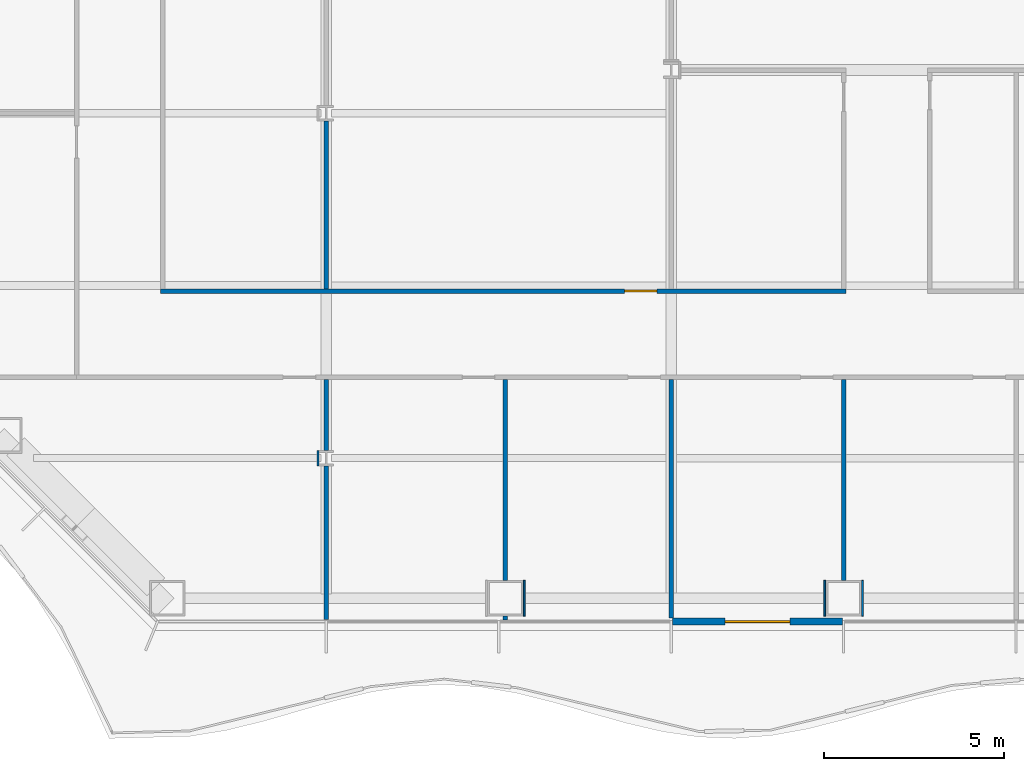
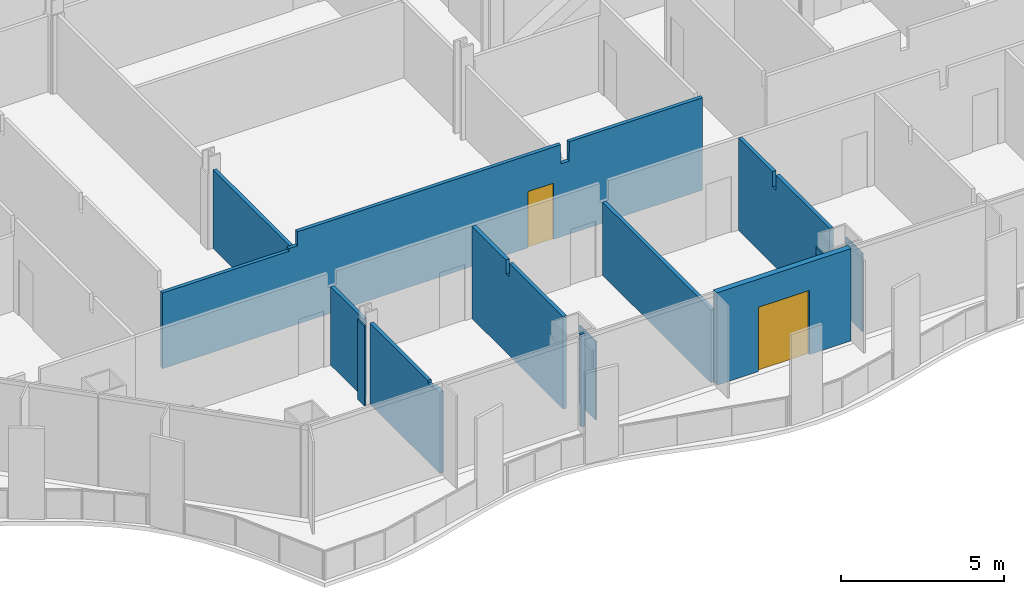
# One storey, part 6 of 20: 13 walls, 2 doors, 2 openings.
"""IFC4 building model written with IfcOpenShell, lengths in metres."""

import ifcopenshell
import ifcopenshell.guid

model = None  # the IFC model being written
_history = None  # IfcOwnerHistory: only IFC2X3 demands one
_inside = {}  # id of a spatial element -> (the spatial element, [elements in it])
_under = {}  # id of a project, library or spatial element -> (it, [spatial elements below it])
_declared = {}  # id of a project -> (the project, [libraries it declares])
_typed = {}  # id of a type object -> (the type object, [elements of that type])
_made_of = {}  # id of a material, layer set ... -> (it, [elements and type objects made of it])


def new_model(schema):
    """Start an empty IFC model of exactly this schema.

    Asked for "IFC4X3", IfcOpenShell would pick the latest addendum, in which some entities
    have other attributes; the version numbers below select the first issue.
    IFC2X3 requires an IfcOwnerHistory on every rooted entity: one is made here for all.
    """
    global model, _history
    if schema == "IFC4X3":
        model = ifcopenshell.file(schema_version=(4, 3, 0, 0))
    else:
        model = ifcopenshell.file(schema=schema)
    _inside.clear()
    _under.clear()
    _declared.clear()
    _typed.clear()
    _made_of.clear()
    _history = None
    if model.schema == "IFC2X3":
        org = make("IfcOrganization", Name="unknown")
        user = make(
            "IfcPersonAndOrganization",
            ThePerson=make("IfcPerson", FamilyName="unknown"),
            TheOrganization=org,
        )
        app = make(
            "IfcApplication",
            ApplicationDeveloper=org,
            Version="unknown",
            ApplicationFullName="unknown",
            ApplicationIdentifier="unknown",
        )
        _history = make(
            "IfcOwnerHistory",
            OwningUser=user,
            OwningApplication=app,
            ChangeAction="ADDED",
            CreationDate=0,
        )
    return model


def make(cls, **values):
    """One entity of the class cls with the attributes given. An attribute that is None is left unset."""
    return model.create_entity(
        cls, **{name: value for name, value in values.items() if value is not None}
    )


def rooted(cls, **values):
    """An entity with a GlobalId (a new one), such as an element, a storey or a relation."""
    return make(cls, GlobalId=ifcopenshell.guid.new(), OwnerHistory=_history, **values)


def si_unit(unit_type, name, prefix=None):
    """IfcSIUnit, for example si_unit("LENGTHUNIT", "METRE", prefix="MILLI")."""
    return make("IfcSIUnit", UnitType=unit_type, Prefix=prefix, Name=name)


def assignment(units):
    """IfcUnitAssignment: the units of a project."""
    return None if units is None else make("IfcUnitAssignment", Units=units)


def point(xyz):
    """IfcCartesianPoint."""
    return None if xyz is None else make("IfcCartesianPoint", Coordinates=xyz)


def direction(xyz):
    """IfcDirection."""
    return None if xyz is None else make("IfcDirection", DirectionRatios=xyz)


def frame(location, z_axis=None, x_axis=None):
    """IfcAxis2Placement3D, a coordinate frame: its origin and axes. An axis left out is left unset."""
    return make(
        "IfcAxis2Placement3D",
        Location=point(location),
        Axis=direction(z_axis),
        RefDirection=direction(x_axis),
    )


def frame_2d(location, x_axis=None):
    """IfcAxis2Placement2D, a coordinate frame in the plane: its origin and x axis."""
    return make(
        "IfcAxis2Placement2D", Location=point(location), RefDirection=direction(x_axis)
    )


def origin():
    """The frame at (0, 0, 0) with its axes left unset."""
    return frame((0.0, 0.0, 0.0))


def place(relative_to, where):
    """IfcLocalPlacement: puts the frame where relative to a parent placement (None: the world)."""
    return make(
        "IfcLocalPlacement", PlacementRelTo=relative_to, RelativePlacement=where
    )


def context(
    kind, dimensions, precision=None, world=None, true_north=None, identifier=None
):
    """IfcGeometricRepresentationContext, for example the 3D "Model" context."""
    return make(
        "IfcGeometricRepresentationContext",
        ContextIdentifier=identifier,
        ContextType=kind,
        CoordinateSpaceDimension=dimensions,
        Precision=precision,
        WorldCoordinateSystem=world,
        TrueNorth=true_north,
    )


def subcontext(parent, identifier, kind, view, scale=None):
    """IfcGeometricRepresentationSubContext, for example "Body" below "Model"."""
    return make(
        "IfcGeometricRepresentationSubContext",
        ContextIdentifier=identifier,
        ContextType=kind,
        ParentContext=parent,
        TargetScale=scale,
        TargetView=view,
    )


def project(units=None, contexts=None):
    """IfcProject with its units and contexts."""
    return rooted(
        "IfcProject",
        Name="project",
        RepresentationContexts=contexts,
        UnitsInContext=assignment(units),
    )


def spatial(cls, under=None, at=None, **own):
    """A site, building, storey or space (cls), placed at a placement, below another one or the project."""
    s = rooted(cls, ObjectPlacement=at, **own)
    if under is not None:
        _under.setdefault(under.id(), (under, []))[1].append(s)
    return s


def polyline(points):
    """IfcPolyline through the points."""
    return make("IfcPolyline", Points=[point(p) for p in points])


def profile(cls, at=None, kind="AREA", **sizes):
    """A parametric profile (cls). Its sizes go by their IFC names, for example OverallWidth=200.0."""
    return make(cls, ProfileType=kind, Position=at, **sizes)


def rectangle(**sizes):
    """IfcRectangleProfileDef."""
    return profile("IfcRectangleProfileDef", **sizes)


def outline(outer, holes=None, kind="AREA"):
    """IfcArbitraryClosedProfileDef: a profile drawn as a closed curve; with holes, ...WithVoids."""
    if holes is None:
        return make("IfcArbitraryClosedProfileDef", ProfileType=kind, OuterCurve=outer)
    return make(
        "IfcArbitraryProfileDefWithVoids",
        ProfileType=kind,
        OuterCurve=outer,
        InnerCurves=holes,
    )


def extrude(swept, where, along, depth):
    """IfcExtrudedAreaSolid: the profile swept, set in the frame where, extruded along a direction by depth."""
    return make(
        "IfcExtrudedAreaSolid",
        SweptArea=swept,
        Position=where,
        ExtrudedDirection=direction(along),
        Depth=depth,
    )


def shape(context_of_items, identifier, shape_type, items):
    """IfcShapeRepresentation: the items that make up one representation, for example the "Body"."""
    return make(
        "IfcShapeRepresentation",
        ContextOfItems=context_of_items,
        RepresentationIdentifier=identifier,
        RepresentationType=shape_type,
        Items=items,
    )


def material(Name=None, Category=None):
    """IfcMaterial."""
    return make("IfcMaterial", Name=Name, Category=Category)


def layer(
    of_material, thickness, ventilated=None, Name=None, Category=None, Priority=None
):
    """IfcMaterialLayer: one layer of a wall or slab, of a material (None: an air gap)."""
    return make(
        "IfcMaterialLayer",
        Material=of_material,
        LayerThickness=thickness,
        IsVentilated=ventilated,
        Name=Name,
        Category=Category,
        Priority=Priority,
    )


def layer_set(layers, Name=None):
    """IfcMaterialLayerSet."""
    return make("IfcMaterialLayerSet", MaterialLayers=layers, LayerSetName=Name)


def made_of(thing, what):
    """Note that an element or type object is made of a material, layer set ...; save() writes the relation."""
    if what is not None:
        _made_of.setdefault(what.id(), (what, []))[1].append(thing)
    return thing


def type_object(cls, material=None, **own):
    """A type object (cls), such as IfcWallType, which elements share."""
    return made_of(rooted(cls, **own), material)


def element(
    cls,
    number,
    at=None,
    inside=None,
    cuts=None,
    type_object=None,
    material=None,
    context=None,
    identifier="Body",
    shape_type=None,
    held_by="IfcProductDefinitionShape",
    body=None,
    shapes=None,
    **own,
):
    """One element of the class cls, such as IfcWall. Its Tag is "e" and its number.

    at: its placement. inside: the storey or other place that contains it. cuts: it is an
    opening in that element (IfcRelVoidsElement). A single representation is given by context,
    identifier, shape_type and body (its items); several are given by shapes. held_by: the class
    of the entity that holds the representations. save() writes the other relations.
    """
    e = rooted(cls, Tag="e%d" % number, ObjectPlacement=at, **own)
    if body is not None:
        shapes = [shape(context, identifier, shape_type, body)]
    if shapes is not None:
        e.Representation = make(held_by, Representations=shapes)
    if inside is not None:
        _inside.setdefault(inside.id(), (inside, []))[1].append(e)
    if cuts is not None:
        rooted(
            "IfcRelVoidsElement", RelatingBuildingElement=cuts, RelatedOpeningElement=e
        )
    if type_object is not None:
        _typed.setdefault(type_object.id(), (type_object, []))[1].append(e)
    return made_of(e, material)


def fill(opening, filler):
    """IfcRelFillsElement: the door or window that sits in an opening."""
    return rooted(
        "IfcRelFillsElement",
        RelatingOpeningElement=opening,
        RelatedBuildingElement=filler,
    )


def aggregate(whole, parts):
    """IfcRelAggregates: a whole, such as a stair, and the parts it consists of."""
    return rooted("IfcRelAggregates", RelatingObject=whole, RelatedObjects=parts)


def save(model, path):
    """Write the relations noted so far, then the file.

    IfcRelAggregates (storeys below a building ...), IfcRelContainedInSpatialStructure (elements
    in a storey), IfcRelDefinesByType, IfcRelAssociatesMaterial and IfcRelDeclares: one each for
    every whole, place, type object, material and project.
    """
    for whole, parts in _under.values():
        aggregate(whole, parts)
    for where, things in _inside.values():
        rooted(
            "IfcRelContainedInSpatialStructure",
            RelatedElements=things,
            RelatingStructure=where,
        )
    for kind, things in _typed.values():
        rooted("IfcRelDefinesByType", RelatedObjects=things, RelatingType=kind)
    for what, things in _made_of.values():
        rooted("IfcRelAssociatesMaterial", RelatedObjects=things, RelatingMaterial=what)
    for by, libraries in _declared.values():
        rooted("IfcRelDeclares", RelatingContext=by, RelatedDefinitions=libraries)
    model.write(path)


model = new_model("IFC4")

# Units and contexts
model_context = context("Model", 3, precision=1e-05, world=origin(), true_north=direction((0.0, 1.0)))
body_context = subcontext(model_context, "Body", "Model", "MODEL_VIEW")
ifc_project = project(units=[si_unit("LENGTHUNIT", "METRE"), si_unit("AREAUNIT", "SQUARE_METRE"), si_unit("VOLUMEUNIT", "CUBIC_METRE"), si_unit("PLANEANGLEUNIT", "RADIAN"), si_unit("MASSUNIT", "GRAM", prefix="KILO")], contexts=[model_context])

# Site, building, storey
site_placement = place(None, origin())
site = spatial("IfcSite", under=ifc_project, at=site_placement, CompositionType="ELEMENT")
building_placement = place(site_placement, origin())
building = spatial("IfcBuilding", under=site, at=building_placement, Name="Cairn Pilgrim Tower", CompositionType="ELEMENT")
storey_placement = place(building_placement, frame((0.0, 0.0, 51.0)))
storey = spatial("IfcBuildingStorey", under=building, at=storey_placement, Name="L10", CompositionType="ELEMENT", Elevation=51.0)

# Wall, opening, door
ifc_material_1 = material(Name="Bronze anodised aluminium insulated sandwich panel with mineral wool fill", Category="aluminium")
ifc_layer_1 = layer(ifc_material_1, 0.199951171875)
ifc_layer_set_1 = layer_set([ifc_layer_1], Name="BRONZE INFILL FRAME WALL 200")
wall_type_1 = type_object("IfcWallType", Name="BRONZE INFILL FRAME WALL 200", PredefinedType="NOTDEFINED", material=ifc_layer_set_1)
wall_1_placement = place(storey_placement, frame((-4.77001953125, -23.75, 0.0), z_axis=(0.0, 0.0, 1.0), x_axis=(1.0, 0.0, 0.0)))
wall_1 = element("IfcWall", 1, at=wall_1_placement, inside=storey, type_object=wall_type_1, Name="Bronze infill frame wall IW-S4", PredefinedType="NOTDEFINED", context=body_context, shape_type="SweptSolid", body=[
    extrude(rectangle(XDim=4.739990234375, YDim=0.199951171875, at=frame_2d((2.3701171875, 0.0))), origin(), (0.0, 0.0, 1.0), 3.449951171875),
])
opening_1_placement = place(wall_1_placement, frame((1.469970703125, 0.0, 0.0)))
opening_1 = element("IfcOpeningElement", 2, at=opening_1_placement, cuts=wall_1, Name="Opening 1004B", PredefinedType="OPENING", context=body_context, shape_type="SweptSolid", body=[
    extrude(rectangle(XDim=1.800048828125, YDim=2.39990234375, at=frame_2d((0.89990234375, 1.199951171875))), frame((0.0, 0.10986328125, 0.0), z_axis=(0.0, -1.0, 0.0), x_axis=(1.0, 0.0, 0.0)), (0.0, 0.0, 1.0), 0.219970703125),
])
ifc_material_2 = material(Name="Bronze anodised aluminium frame with tinted low-E glass", Category="aluminium")
door_type_1 = type_object("IfcDoorType", Name="BALCONY SLIDING DOOR 1800x2400", OperationType="DOUBLE_DOOR_SLIDING", PredefinedType="DOOR", material=ifc_material_2)
door_1_placement = place(opening_1_placement, origin())
door_1 = element("IfcDoor", 3, at=door_1_placement, inside=storey, type_object=door_type_1, Name="Balcony sliding door 1004B", OperationType="SINGLE_SWING_LEFT", OverallHeight=2.39990234375, OverallWidth=1.800048828125, PredefinedType="DOOR", context=body_context, shape_type="SweptSolid", body=[
    extrude(rectangle(XDim=1.800048828125, YDim=2.39990234375, at=frame_2d((0.89990234375, 1.199951171875))), frame((0.0, 0.02490234375, 0.0), z_axis=(0.0, -1.0, 0.0), x_axis=(1.0, 0.0, 0.0)), (0.0, 0.0, 1.0), 0.050048828125),
])
fill(opening_1, door_1)

# Walls
ifc_material_3 = material(Name="Gypsum partition")
ifc_layer_2 = layer(ifc_material_3, 0.125)
ifc_layer_set_2 = layer_set([ifc_layer_2], Name="PARTITION 125 DRYWALL EI 60")
wall_type_2 = type_object("IfcWallType", Name="PARTITION 125 DRYWALL EI 60", PredefinedType="PARTITIONING", material=ifc_layer_set_2)
wall_2_placement = place(storey_placement, frame((-14.39990234375, -23.68994140625, 0.0), z_axis=(0.0, 0.0, 1.0), x_axis=(0.0, 1.0, 0.0)))
element("IfcWall", 4, at=wall_2_placement, inside=storey, type_object=wall_type_2, Name="PARTITION W001", PredefinedType="PARTITIONING", context=body_context, shape_type="SweptSolid", body=[
    extrude(outline(polyline([(0.0, 0.0), (4.27734375, 0.0), (4.277587890625, 3.030029296875), (0.739990234375, 3.030029296875), (0.738037109375, 2.929931640625), (0.43994140625, 2.929931640625), (0.43798828125, 3.030029296875), (0.0, 3.030029296875), (0.0, 0.0)])), frame((0.0, 0.0625, 0.0), z_axis=(0.0, -1.0, 0.0), x_axis=(1.0, 0.0, 0.0)), (0.0, 0.0, 1.0), 0.125),
])
wall_3_placement = place(storey_placement, frame((-9.4140625, -23.702880859375, 0.0), z_axis=(0.0, 0.0, 1.0), x_axis=(0.0, 1.0, 0.0)))
element("IfcWall", 5, at=wall_3_placement, inside=storey, type_object=wall_type_2, Name="PARTITION W002", PredefinedType="PARTITIONING", context=body_context, shape_type="SweptSolid", body=[
    extrude(rectangle(XDim=0.102783203125, YDim=0.125, at=frame_2d((0.05126953125, 0.0))), origin(), (0.0, 0.0, 1.0), 3.449951171875),
])
wall_4_placement = place(storey_placement, frame((-4.800048828125, -23.64990234375, 0.0), z_axis=(0.0, 0.0, 1.0), x_axis=(0.0, 1.0, 0.0)))
element("IfcWall", 6, at=wall_4_placement, inside=storey, type_object=wall_type_2, Name="PARTITION W003", PredefinedType="PARTITIONING", context=body_context, shape_type="SweptSolid", body=[
    extrude(rectangle(XDim=6.637451171875, YDim=0.125, at=frame_2d((3.31884765625, 0.0))), origin(), (0.0, 0.0, 1.0), 2.72998046875),
])
wall_5_placement = place(storey_placement, frame((-9.4140625, -22.60009765625, 0.0), z_axis=(0.0, 0.0, 1.0), x_axis=(0.0, 1.0, 0.0)))
element("IfcWall", 7, at=wall_5_placement, inside=storey, type_object=wall_type_2, Name="PARTITION W007", PredefinedType="PARTITIONING", context=body_context, shape_type="SweptSolid", body=[
    extrude(outline(polyline([(0.0, 0.0), (5.587646484375, 0.0), (5.58740234375, 3.449951171875), (3.5, 3.449951171875), (3.498046875, 2.929931640625), (3.300048828125, 2.929931640625), (3.298095703125, 3.449951171875), (0.0, 3.449951171875), (0.0, 0.0)])), frame((0.0, 0.0625, 0.0), z_axis=(0.0, -1.0, 0.0), x_axis=(1.0, 0.0, 0.0)), (0.0, 0.0, 1.0), 0.125),
])
wall_6_placement = place(storey_placement, frame((0.0, -22.60009765625, 0.0), z_axis=(0.0, 0.0, 1.0), x_axis=(0.0, 1.0, 0.0)))
element("IfcWall", 8, at=wall_6_placement, inside=storey, type_object=wall_type_2, Name="PARTITION W008", PredefinedType="PARTITIONING", context=body_context, shape_type="SweptSolid", body=[
    extrude(outline(polyline([(0.0, 0.0), (5.587646484375, 0.0), (5.58740234375, 3.449951171875), (3.5048828125, 3.449951171875), (3.5029296875, 2.8798828125), (3.294921875, 2.8798828125), (3.29296875, 3.449951171875), (0.0, 3.449951171875), (0.0, 0.0)])), frame((0.0, 0.0625, 0.0), z_axis=(0.0, -1.0, 0.0), x_axis=(1.0, 0.0, 0.0)), (0.0, 0.0, 1.0), 0.125),
])
wall_7_placement = place(storey_placement, frame((-14.39990234375, -18.987548828125, 0.0), z_axis=(0.0, 0.0, 1.0), x_axis=(0.0, 1.0, 0.0)))
element("IfcWall", 9, at=wall_7_placement, inside=storey, type_object=wall_type_2, Name="PARTITION W011", PredefinedType="PARTITIONING", context=body_context, shape_type="SweptSolid", body=[
    extrude(rectangle(XDim=1.97509765625, YDim=0.125, at=frame_2d((0.987548828125, 0.0))), origin(), (0.0, 0.0, 1.0), 2.929931640625),
])

# Wall, opening, door
wall_8_placement = place(storey_placement, frame((-19.012451171875, -14.550048828125, 0.0), z_axis=(0.0, 0.0, 1.0), x_axis=(1.0, 0.0, 0.0)))
wall_8 = element("IfcWall", 10, at=wall_8_placement, inside=storey, type_object=wall_type_2, Name="PARTITION W016", PredefinedType="PARTITIONING", context=body_context, shape_type="SweptSolid", body=[
    extrude(outline(polyline([(0.0, 0.0), (19.074951171875, 0.0), (19.074951171875, 3.449951171875), (14.362548828125, 3.449951171875), (14.360595703125, 2.72998046875), (14.0625, 2.72998046875), (14.060546875, 3.449951171875), (4.762451171875, 3.449951171875), (4.760498046875, 2.929931640625), (4.46240234375, 2.929931640625), (4.46044921875, 2.830078125), (0.0, 2.830078125), (0.0, 0.0)])), frame((0.0, 0.0625, 0.0), z_axis=(0.0, -1.0, 0.0), x_axis=(1.0, 0.0, 0.0)), (0.0, 0.0, 1.0), 0.125),
])
opening_2_placement = place(wall_8_placement, frame((12.91259765625, 0.0, 0.0)))
opening_2 = element("IfcOpeningElement", 11, at=opening_2_placement, cuts=wall_8, Name="Opening 1028", PredefinedType="OPENING", context=body_context, shape_type="SweptSolid", body=[
    extrude(rectangle(XDim=0.89990234375, YDim=2.10009765625, at=frame_2d((0.449951171875, 1.050048828125))), frame((0.0, 0.072509765625, 0.0), z_axis=(0.0, -1.0, 0.0), x_axis=(1.0, 0.0, 0.0)), (0.0, 0.0, 1.0), 0.14501953125),
])
ifc_material_4 = material(Name="Steel-faced fire door leaf", Category="steel")
door_type_2 = type_object("IfcDoorType", Name="FIRE DOOR 900x2100 FD30S", OperationType="NOTDEFINED", PredefinedType="DOOR", material=ifc_material_4)
door_2_placement = place(opening_2_placement, origin())
door_2 = element("IfcDoor", 12, at=door_2_placement, inside=storey, type_object=door_type_2, Name="DOOR 1028", OperationType="SINGLE_SWING_LEFT", OverallHeight=2.10009765625, OverallWidth=0.89990234375, PredefinedType="DOOR", context=body_context, shape_type="SweptSolid", body=[
    extrude(rectangle(XDim=0.89990234375, YDim=2.10009765625, at=frame_2d((0.449951171875, 1.050048828125))), frame((0.0, 0.02490234375, 0.0), z_axis=(0.0, -1.0, 0.0), x_axis=(1.0, 0.0, 0.0)), (0.0, 0.0, 1.0), 0.050048828125),
])
fill(opening_2, door_2)

# Walls
wall_9_placement = place(storey_placement, frame((-14.39990234375, -14.487548828125, 0.0), z_axis=(0.0, 0.0, 1.0), x_axis=(0.0, 1.0, 0.0)))
element("IfcWall", 13, at=wall_9_placement, inside=storey, type_object=wall_type_2, Name="PARTITION W019", PredefinedType="PARTITIONING", context=body_context, shape_type="SweptSolid", body=[
    extrude(rectangle(XDim=4.675048828125, YDim=0.125, at=frame_2d((2.33740234375, 0.0))), origin(), (0.0, 0.0, 1.0), 2.929931640625),
])
ifc_layer_3 = layer(ifc_material_3, 0.050048828125)
ifc_layer_set_3 = layer_set([ifc_layer_3], Name="PARTITION 50 DRYWALL EI 60")
wall_type_3 = type_object("IfcWallType", Name="PARTITION 50 DRYWALL EI 60", PredefinedType="PARTITIONING", material=ifc_layer_set_3)
wall_10_placement = place(storey_placement, frame((-14.62939453125, -19.41259765625, 0.0), z_axis=(0.0, 0.0, 1.0), x_axis=(0.0, 1.0, 0.0)))
element("IfcWall", 14, at=wall_10_placement, inside=storey, type_object=wall_type_3, Name="COLUMN CASING WC01", PredefinedType="PARTITIONING", context=body_context, shape_type="SweptSolid", body=[
    extrude(rectangle(XDim=0.425048828125, YDim=0.050048828125, at=frame_2d((0.21240234375, 0.0))), origin(), (0.0, 0.0, 1.0), 2.97998046875),
])
for number, where, z_axis, x_axis, name in (
    (15, (-8.888671875, -23.60009765625, 0.0), (0.0, 0.0, 1.0), (0.0, 1.0, 0.0), "COLUMN CASING WC03"),
    (16, (-0.52490234375, -23.60009765625, 0.0), (0.0, 0.0, 1.0), (0.0, 1.0, 0.0), "COLUMN CASING WC04"),
    (17, (0.52490234375, -23.60009765625, 0.0), (0.0, 0.0, 1.0), (0.0, 1.0, 0.0), "COLUMN CASING WC05"),
):
    element("IfcWall", number, at=place(storey_placement, frame(where, z_axis=z_axis, x_axis=x_axis)), inside=storey, type_object=wall_type_3, Name=name, PredefinedType="PARTITIONING", context=body_context, shape_type="SweptSolid", body=[
        extrude(rectangle(XDim=1.0, YDim=0.050048828125, at=frame_2d((0.5, 0.0))), origin(), (0.0, 0.0, 1.0), 2.929931640625),
    ])

save(model, "model.ifc")
